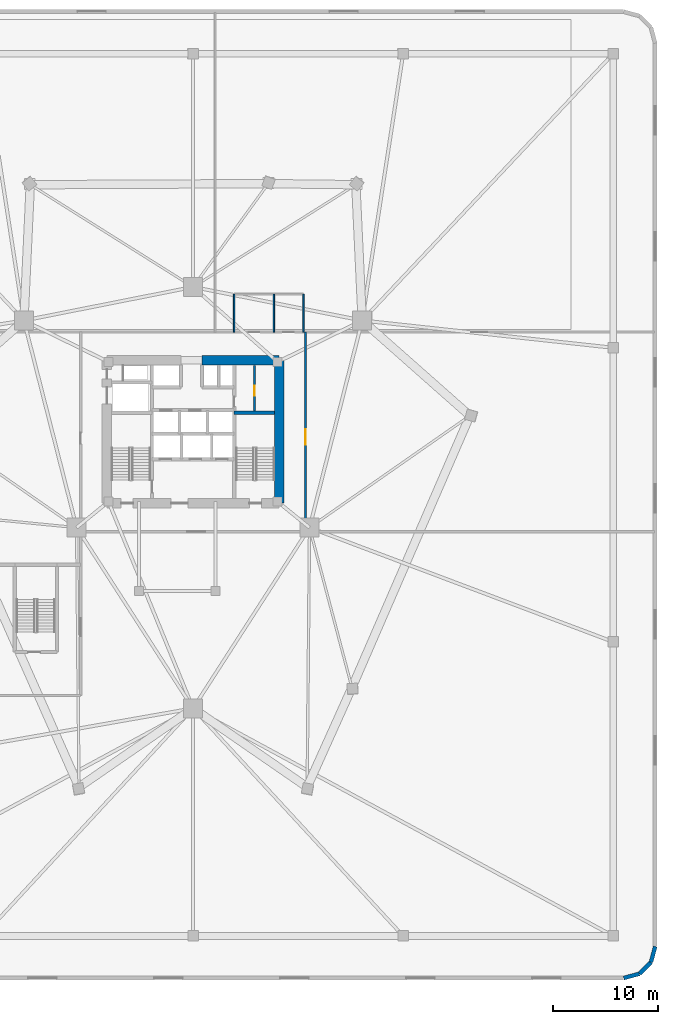
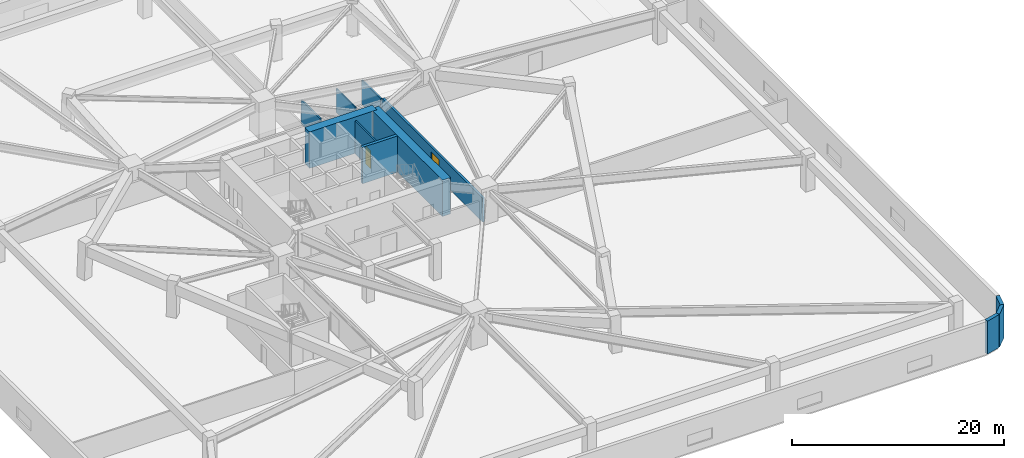
# One storey, part 7 of 10: 11 walls, 2 doors, 2 openings.
"""IFC4 building model written with IfcOpenShell, lengths in metres."""

from ifc_helpers import new_model, si_unit, direction, frame, frame_2d, origin, place, context, subcontext, project, spatial, rectangle, extrude, material, layer, layer_set, type_object, element, fill, save


model = new_model("IFC4")

# Units and contexts
model_context = context("Model", 3, precision=1e-05, world=origin(), true_north=direction((0.0, 1.0)))
body_context = subcontext(model_context, "Body", "Model", "MODEL_VIEW")
ifc_project = project(units=[si_unit("LENGTHUNIT", "METRE"), si_unit("AREAUNIT", "SQUARE_METRE"), si_unit("VOLUMEUNIT", "CUBIC_METRE"), si_unit("PLANEANGLEUNIT", "RADIAN"), si_unit("MASSUNIT", "GRAM", prefix="KILO")], contexts=[model_context])

# Site, building, storey
site_placement = place(None, origin())
site = spatial("IfcSite", under=ifc_project, at=site_placement, CompositionType="ELEMENT")
building_placement = place(site_placement, origin())
building = spatial("IfcBuilding", under=site, at=building_placement, Name="Talyreon Biosciences Tower", CompositionType="ELEMENT")
storey_placement = place(building_placement, frame((0.0, 0.0, 18.60009765625)))
storey = spatial("IfcBuildingStorey", under=building, at=storey_placement, Name="L04", CompositionType="ELEMENT", Elevation=18.60009765625)

# Walls
ifc_material_1 = material(Name="Concrete C50/60", Category="concrete")
ifc_layer_1 = layer(ifc_material_1, 0.320068359375)
ifc_layer_set_1 = layer_set([ifc_layer_1], Name="Concrete C50/60")
wall_type_1 = type_object("IfcWallType", Name="CoreShearWall_320", PredefinedType="SHEAR", material=ifc_layer_set_1)
wall_1_placement = place(storey_placement, frame((69.909912109375, 69.81005859375, 0.0), z_axis=(0.0, 0.0, 1.0), x_axis=(1.0, 0.0, 0.0)))
element("IfcWall", 1, at=wall_1_placement, inside=storey, type_object=wall_type_1, Name="L04 Core Shaft Wall SW2N", PredefinedType="SHEAR", context=body_context, shape_type="SweptSolid", body=[
    extrude(rectangle(XDim=3.840087890625, YDim=0.320068359375, at=frame_2d((1.919921875, 0.0))), origin(), (0.0, 0.0, 1.0), 4.199951171875),
])
ifc_material_2 = material(Name="Concrete C60/75", Category="concrete")
ifc_layer_2 = layer(ifc_material_2, 0.89990234375)
ifc_layer_set_2 = layer_set([ifc_layer_2], Name="Concrete C60/75")
wall_type_2 = type_object("IfcWallType", Name="CoreShearWall_900", PredefinedType="SHEAR", material=ifc_layer_set_2)
wall_2_placement = place(storey_placement, frame((74.199951171875, 61.199951171875, 0.0), z_axis=(0.0, 0.0, 1.0), x_axis=(0.0, 1.0, 0.0)))
element("IfcWall", 2, at=wall_2_placement, inside=storey, type_object=wall_type_2, Name="L04 Core Shear Wall E", PredefinedType="SHEAR", context=body_context, shape_type="SweptSolid", body=[
    extrude(rectangle(XDim=13.60009765625, YDim=0.89990234375, at=frame_2d((6.800048828125, 0.0))), origin(), (0.0, 0.0, 1.0), 4.199951171875),
])
wall_3_placement = place(storey_placement, frame((74.199951171875, 74.800048828125, 0.0), z_axis=(0.0, 0.0, 1.0), x_axis=(-1.0, 0.0, 0.0)))
element("IfcWall", 3, at=wall_3_placement, inside=storey, type_object=wall_type_2, Name="L04 Core Shear Wall NE", PredefinedType="SHEAR", context=body_context, shape_type="SweptSolid", body=[
    extrude(rectangle(XDim=7.349853515625, YDim=0.89990234375, at=frame_2d((3.6748046875, 0.0))), origin(), (0.0, 0.0, 1.0), 4.199951171875),
])

# Wall, opening, door
ifc_material_3 = material(Name="Gypsum fireboard acoustic stud", Category="gypsum")
ifc_layer_3 = layer(ifc_material_3, 0.219970703125)
ifc_layer_set_3 = layer_set([ifc_layer_3], Name="Gypsum fireboard acoustic stud")
wall_type_3 = type_object("IfcWallType", Name="CorridorRatedPartition_220", PredefinedType="PARTITIONING", material=ifc_layer_set_3)
wall_4_placement = place(storey_placement, frame((76.699951171875, 58.5, 0.0), z_axis=(0.0, 0.0, 1.0), x_axis=(0.0, 1.0, 0.0)))
wall_4 = element("IfcWall", 4, at=wall_4_placement, inside=storey, type_object=wall_type_3, Name="L04 Interior Wall IW-L04-E", PredefinedType="PARTITIONING", context=body_context, shape_type="SweptSolid", body=[
    extrude(rectangle(XDim=19.0, YDim=0.219970703125, at=frame_2d((9.5, 0.0))), origin(), (0.0, 0.0, 1.0), 2.77197265625),
])
opening_1_placement = place(wall_4_placement, frame((8.25, 0.0, 0.0)))
opening_1 = element("IfcOpeningElement", 5, at=opening_1_placement, cuts=wall_4, Name="Opening DR-L04-EW", PredefinedType="OPENING", context=body_context, shape_type="SweptSolid", body=[
    extrude(rectangle(XDim=1.5, YDim=2.199951171875, at=frame_2d((0.75, 1.10009765625))), frame((0.0, 0.119873046875, 0.0), z_axis=(0.0, -1.0, 0.0), x_axis=(1.0, 0.0, 0.0)), (0.0, 0.0, 1.0), 0.239990234375),
])
ifc_material_4 = material(Name="Vision-panel steel laboratory fire door", Category="steel")
door_type_1 = type_object("IfcDoorType", Name="WetLabDoubleLeafDoor_1500x2200", OperationType="DOUBLE_DOOR_SINGLE_SWING", PredefinedType="DOOR", material=ifc_material_4)
door_1_placement = place(opening_1_placement, origin())
door_1 = element("IfcDoor", 6, at=door_1_placement, inside=storey, type_object=door_type_1, Name="L04 Interior Door DR-L04-EW", OperationType="DOUBLE_DOOR_SINGLE_SWING", OverallHeight=2.199951171875, OverallWidth=1.5, PredefinedType="DOOR", context=body_context, shape_type="SweptSolid", body=[
    extrude(rectangle(XDim=1.5, YDim=2.199951171875, at=frame_2d((0.75, 1.10009765625))), frame((0.0, 0.02490234375, 0.0), z_axis=(0.0, -1.0, 0.0), x_axis=(1.0, 0.0, 0.0)), (0.0, 0.0, 1.0), 0.050048828125),
])
fill(opening_1, door_1)

ifc_material_5 = material(Name="Gypsum acoustic stud partition", Category="gypsum")
ifc_layer_4 = layer(ifc_material_5, 0.159912109375)
ifc_layer_set_4 = layer_set([ifc_layer_4], Name="Gypsum acoustic stud partition")
wall_type_4 = type_object("IfcWallType", Name="LabSeparationPartition_160", PredefinedType="PARTITIONING", material=ifc_layer_set_4)
wall_5_placement = place(storey_placement, frame((71.85009765625, 70.0, 0.0), z_axis=(0.0, 0.0, 1.0), x_axis=(0.0, 1.0, 0.0)))
wall_5 = element("IfcWall", 7, at=wall_5_placement, inside=storey, type_object=wall_type_4, Name="L04 Interior Wall IW-L04-CSRV-V", PredefinedType="PARTITIONING", context=body_context, shape_type="SweptSolid", body=[
    extrude(rectangle(XDim=4.300048828125, YDim=0.159912109375, at=frame_2d((2.14990234375, 0.0))), origin(), (0.0, 0.0, 1.0), 3.7998046875),
])
opening_2_placement = place(wall_5_placement, frame((1.449951171875, 0.0, 0.0)))
opening_2 = element("IfcOpeningElement", 8, at=opening_2_placement, cuts=wall_5, Name="Opening DR-L04-CSRV-I", PredefinedType="OPENING", context=body_context, shape_type="SweptSolid", body=[
    extrude(rectangle(XDim=0.919921875, YDim=2.050048828125, at=frame_2d((0.4599609375, 1.02490234375))), frame((0.0, 0.08984375, 0.0), z_axis=(0.0, -1.0, 0.0), x_axis=(1.0, 0.0, 0.0)), (0.0, 0.0, 1.0), 0.179931640625),
])
ifc_material_6 = material(Name="Painted steel fire-rated riser door", Category="steel")
door_type_2 = type_object("IfcDoorType", Name="RiserPlantAccessDoor_920x2050", OperationType="NOTDEFINED", PredefinedType="DOOR", material=ifc_material_6)
door_2_placement = place(opening_2_placement, origin())
door_2 = element("IfcDoor", 9, at=door_2_placement, inside=storey, type_object=door_type_2, Name="L04 Interior Door DR-L04-CSRV-I", OperationType="SINGLE_SWING_RIGHT", OverallHeight=2.050048828125, OverallWidth=0.919921875, PredefinedType="DOOR", context=body_context, shape_type="SweptSolid", body=[
    extrude(rectangle(XDim=0.919921875, YDim=2.050048828125, at=frame_2d((0.4599609375, 1.02490234375))), frame((0.0, 0.02490234375, 0.0), z_axis=(0.0, -1.0, 0.0), x_axis=(1.0, 0.0, 0.0)), (0.0, 0.0, 1.0), 0.050048828125),
])
fill(opening_2, door_2)

# Walls
ifc_material_7 = material(Name="Precast concrete C45/55", Category="concrete")
ifc_layer_5 = layer(ifc_material_7, 0.3798828125)
ifc_layer_set_5 = layer_set([ifc_layer_5], Name="Precast concrete C45/55")
wall_type_5 = type_object("IfcWallType", Name="PrecastConcretePodiumWall_380", PredefinedType="STANDARD", material=ifc_layer_set_5)
for number, where, z_axis, x_axis, name in (
    (10, (110.0, 19.0, 0.0), (0.0, 0.0, 1.0), (-0.258777996848, -0.965936824201, 0.0), "L04 Podium Concrete Frame Wall 14"),
    (11, (109.59814453125, 17.5, 0.0), (0.0, 0.0, 1.0), (-0.707106781187, -0.707106781187, 0.0), "L04 Podium Concrete Frame Wall 15"),
    (12, (108.5, 16.40185546875, 0.0), (0.0, 0.0, 1.0), (-0.965936824201, -0.258777996848, 0.0), "L04 Podium Concrete Frame Wall 16"),
):
    element("IfcWall", number, at=place(storey_placement, frame(where, z_axis=z_axis, x_axis=x_axis)), inside=storey, type_object=wall_type_5, Name=name, PredefinedType="STANDARD", context=body_context, shape_type="SweptSolid", body=[
        extrude(rectangle(XDim=1.552978515625, YDim=0.3798828125, at=frame_2d((0.7763671875, 0.0))), origin(), (0.0, 0.0, 1.0), 3.7998046875),
    ])
ifc_material_8 = material(Name="Moisture-resistant cement-board stud", Category="gypsum")
ifc_layer_6 = layer(ifc_material_8, 0.14501953125)
ifc_layer_set_6 = layer_set([ifc_layer_6], Name="Moisture-resistant cement-board stud")
wall_type_6 = type_object("IfcWallType", Name="WetRoomPartition_145", PredefinedType="PARTITIONING", material=ifc_layer_set_6)
for number, where, z_axis, x_axis, name in (
    (13, (69.89990234375, 77.5, 0.0), (0.0, 0.0, 1.0), (0.0, 1.0, 0.0), "L04 Interior Wall IW-L04-WCW"),
    (14, (73.699951171875, 77.5, 0.0), (0.0, 0.0, 1.0), (0.0, 1.0, 0.0), "L04 Interior Wall IW-L04-WCM"),
    (15, (76.5, 77.5, 0.0), (0.0, 0.0, 1.0), (0.0, 1.0, 0.0), "L04 Interior Wall IW-L04-WCE"),
):
    element("IfcWall", number, at=place(storey_placement, frame(where, z_axis=z_axis, x_axis=x_axis)), inside=storey, type_object=wall_type_6, Name=name, PredefinedType="PARTITIONING", context=body_context, shape_type="SweptSolid", body=[
        extrude(rectangle(XDim=3.60009765625, YDim=0.14501953125, at=frame_2d((1.800048828125, 0.0))), origin(), (0.0, 0.0, 1.0), 2.77197265625),
    ])

save(model, "model.ifc")
